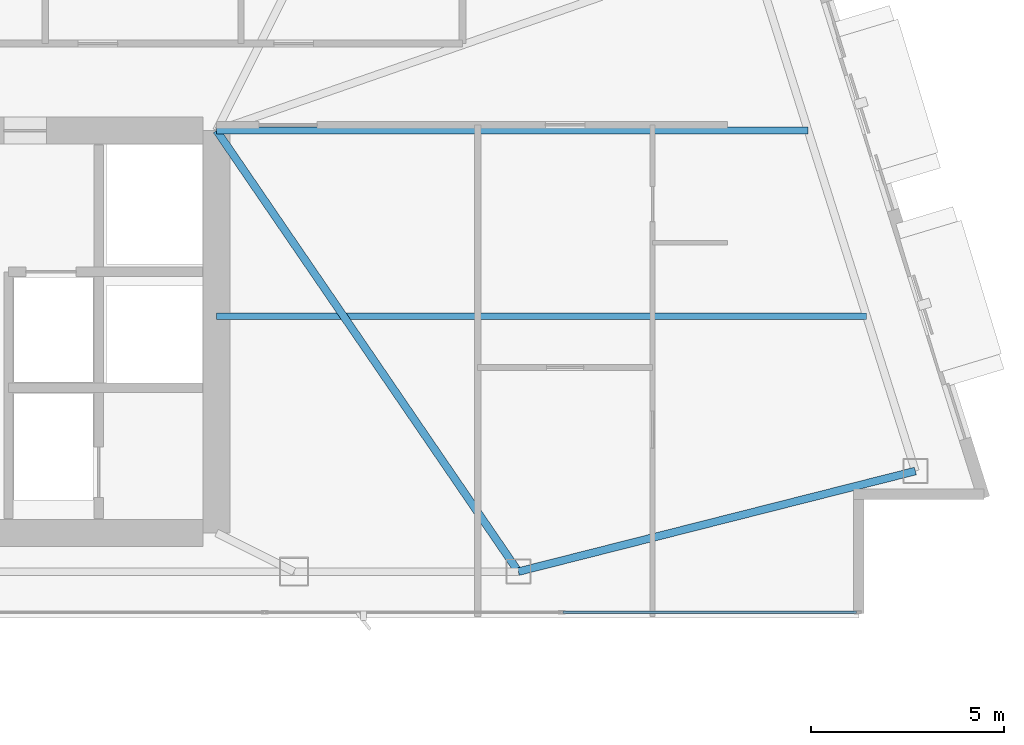
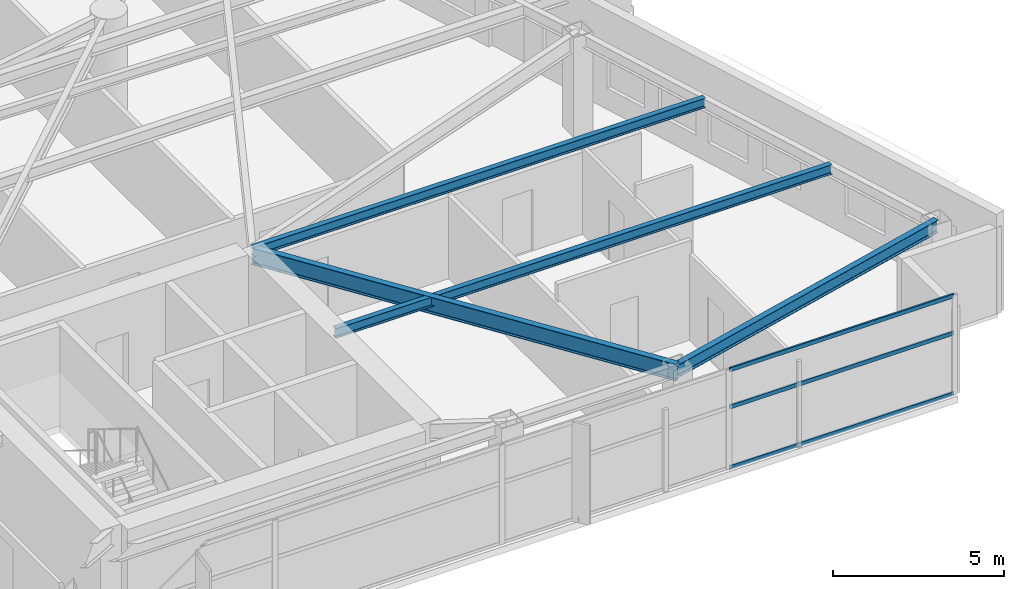
# One storey, part 14 of 30: 4 beams, 3 members, 1 element without a shape of its own.
"""IFC4 building model written with IfcOpenShell, lengths in metres."""

from ifc_helpers import new_model, si_unit, direction, frame, origin, origin_2d, place, context, subcontext, project, spatial, hollow_rectangle, i_section, extrude, material, layer, layer_set, material_profile, profile_set, type_object, element, aggregate, save


model = new_model("IFC4")

# Units and contexts
model_context = context("Model", 3, precision=1e-05, world=origin(), true_north=direction((0.0, 1.0)))
body_context = subcontext(model_context, "Body", "Model", "MODEL_VIEW")
ifc_project = project(units=[si_unit("LENGTHUNIT", "METRE"), si_unit("AREAUNIT", "SQUARE_METRE"), si_unit("VOLUMEUNIT", "CUBIC_METRE"), si_unit("PLANEANGLEUNIT", "RADIAN"), si_unit("MASSUNIT", "GRAM", prefix="KILO")], contexts=[model_context])

# Site, building, storey
site_placement = place(None, origin())
site = spatial("IfcSite", under=ifc_project, at=site_placement, CompositionType="ELEMENT")
building_placement = place(site_placement, origin())
building = spatial("IfcBuilding", under=site, at=building_placement, Name="Calvorn Quay Hotel", CompositionType="ELEMENT")
storey_placement = place(building_placement, frame((0.0, 0.0, 207.199951171875)))
storey = spatial("IfcBuildingStorey", under=building, at=storey_placement, Name="L51", CompositionType="ELEMENT", Elevation=207.199951171875)

# Beams
ifc_material_1 = material(Name="Steel Q355B", Category="steel")
ifc_material_profile_1 = material_profile(ifc_material_1, i_section(OverallWidth=0.199951171875, OverallDepth=0.60009765625, WebThickness=0.010986328125, FlangeThickness=0.01708984375, FilletRadius=0.01806640625, at=origin_2d()), Name="HN600x200x11x17")
ifc_profile_set_1 = profile_set([ifc_material_profile_1], Name="Steel Q355B")
beam_type_1 = type_object("IfcBeamType", Name="BM-GIRD-TYP", PredefinedType="BEAM", material=ifc_profile_set_1)
beam_1_placement = place(storey_placement, frame((40.199951171875, 3.60009765625, 3.239990234375), z_axis=(-0.564689618177, 0.825303359452, 0.0), x_axis=(-0.825303359452, -0.564689618177, 0.0)))
element("IfcBeam", 1, at=beam_1_placement, inside=storey, type_object=beam_type_1, Name="Beam BG-L51-E6", PredefinedType="BEAM", context=body_context, shape_type="SweptSolid", body=[
    extrude(i_section(OverallWidth=0.199951171875, OverallDepth=0.60009765625, WebThickness=0.010986328125, FlangeThickness=0.01708984375, FilletRadius=0.01806640625, at=origin_2d()), origin(), (0.0, 0.0, 1.0), 13.81298828125),
])
ifc_material_2 = material(Name="Steel Q355B", Category="steel")
ifc_material_profile_2 = material_profile(ifc_material_2, i_section(OverallWidth=0.175048828125, OverallDepth=0.35009765625, WebThickness=0.007080078125, FlangeThickness=0.010986328125, FilletRadius=0.013916015625, at=origin_2d()), Name="HN350x175x7x11")
ifc_profile_set_2 = profile_set([ifc_material_profile_2], Name="Steel Q355B")
beam_type_2 = type_object("IfcBeamType", Name="BM-JOIST-SEC", PredefinedType="JOIST", material=ifc_profile_set_2)
beam_2_placement = place(storey_placement, frame((32.39990234375, 10.199951171875, 3.364990234375), z_axis=(1.0, 0.0, 0.0), x_axis=(0.0, 1.0, 0.0)))
element("IfcBeam", 2, at=beam_2_placement, inside=storey, type_object=beam_type_2, Name="Beam BJ-L51-E1", PredefinedType="JOIST", context=body_context, shape_type="SweptSolid", body=[
    extrude(i_section(OverallWidth=0.175048828125, OverallDepth=0.35009765625, WebThickness=0.007080078125, FlangeThickness=0.010986328125, FilletRadius=0.013916015625, at=origin_2d()), origin(), (0.0, 0.0, 1.0), 16.801025390625),
])
beam_3_placement = place(storey_placement, frame((32.39990234375, 15.0, 3.364990234375), z_axis=(1.0, 0.0, 0.0), x_axis=(0.0, 1.0, 0.0)))
element("IfcBeam", 3, at=beam_3_placement, inside=storey, type_object=beam_type_2, Name="Beam BJ-L51-E2", PredefinedType="JOIST", context=body_context, shape_type="SweptSolid", body=[
    extrude(i_section(OverallWidth=0.175048828125, OverallDepth=0.35009765625, WebThickness=0.007080078125, FlangeThickness=0.010986328125, FilletRadius=0.013916015625, at=origin_2d()), origin(), (0.0, 0.0, 1.0), 15.2880859375),
])
ifc_material_3 = material(Name="Steel Q355B", Category="steel")
ifc_material_profile_3 = material_profile(ifc_material_3, i_section(OverallWidth=0.199951171875, OverallDepth=0.449951171875, WebThickness=0.009033203125, FlangeThickness=0.013916015625, FilletRadius=0.01611328125, at=origin_2d()), Name="HN450x200x9x14")
ifc_profile_set_3 = profile_set([ifc_material_profile_3], Name="Steel Q355B")
beam_type_3 = type_object("IfcBeamType", Name="BM-SPANDREL-Z3", PredefinedType="SPANDREL", material=ifc_profile_set_3)
beam_4_placement = place(storey_placement, frame((40.199951171875, 3.60009765625, 3.31494140625), z_axis=(0.969368358966, 0.245611450537, 0.0), x_axis=(-0.245611450537, 0.969368358966, 0.0)))
element("IfcBeam", 4, at=beam_4_placement, inside=storey, type_object=beam_type_3, Name="Beam BSP-L51-S5", PredefinedType="SPANDREL", context=body_context, shape_type="SweptSolid", body=[
    extrude(i_section(OverallWidth=0.199951171875, OverallDepth=0.449951171875, WebThickness=0.009033203125, FlangeThickness=0.013916015625, FilletRadius=0.01611328125, at=origin_2d()), origin(), (0.0, 0.0, 1.0), 10.585205078125),
])

# Curtain wall, members
ifc_material_4 = material(Name="Champagne Bronze Anodised Aluminium and Low-E Glass", Category="aluminium")
ifc_layer = layer(ifc_material_4, 0.219970703125)
ifc_layer_set = layer_set([ifc_layer], Name="CW-SYS-Z3")
curtain_wall_type = type_object("IfcCurtainWallType", Name="CW-SYS-Z3", PredefinedType="NOTDEFINED", material=ifc_layer_set)
curtain_wall_placement = place(storey_placement, origin())
curtain_wall = element("IfcCurtainWall", 5, at=curtain_wall_placement, inside=storey, type_object=curtain_wall_type, Name="Tower South Waterfront Curtain Wall (L51)", PredefinedType="NOTDEFINED")
ifc_material_5 = material(Name="Champagne Bronze Anodised Aluminium 6063-T6", Category="aluminium")
ifc_material_profile_4 = material_profile(ifc_material_5, hollow_rectangle(XDim=0.05810546875, YDim=0.139892578125, WallThickness=0.003173828125, at=origin_2d()), Name="ALU-T140x58x3.2")
ifc_profile_set_4 = profile_set([ifc_material_profile_4], Name="Champagne Bronze Anodised Aluminium 6063-T6")
member_type = type_object("IfcMemberType", Name="CW-SYS-Z3-TRN", PredefinedType="USERDEFINED", material=ifc_profile_set_4)
member_1_placement = place(storey_placement, frame((41.35009765625, 2.550048828125, 0.030029296875), z_axis=(1.0, 0.0, 0.0), x_axis=(0.0, 1.0, 0.0)))
member_1 = element("IfcMember", 6, at=member_1_placement, type_object=member_type, Name="CW-L51-S transom 5.1", ObjectType="TRANSOM", PredefinedType="USERDEFINED", context=body_context, shape_type="SweptSolid", body=[
    extrude(hollow_rectangle(XDim=0.05810546875, YDim=0.139892578125, WallThickness=0.003173828125, at=origin_2d()), origin(), (0.0, 0.0, 1.0), 7.58984375),
])
member_2_placement = place(storey_placement, frame((41.35009765625, 2.550048828125, 2.199951171875), z_axis=(1.0, 0.0, 0.0), x_axis=(0.0, 1.0, 0.0)))
member_2 = element("IfcMember", 7, at=member_2_placement, type_object=member_type, Name="CW-L51-S transom 5.2", ObjectType="TRANSOM", PredefinedType="USERDEFINED", context=body_context, shape_type="SweptSolid", body=[
    extrude(hollow_rectangle(XDim=0.05810546875, YDim=0.139892578125, WallThickness=0.003173828125, at=origin_2d()), origin(), (0.0, 0.0, 1.0), 7.58984375),
])
member_3_placement = place(storey_placement, frame((41.35009765625, 2.550048828125, 3.530029296875), z_axis=(1.0, 0.0, 0.0), x_axis=(0.0, 1.0, 0.0)))
member_3 = element("IfcMember", 8, at=member_3_placement, type_object=member_type, Name="CW-L51-S transom 5.3", ObjectType="TRANSOM", PredefinedType="USERDEFINED", context=body_context, shape_type="SweptSolid", body=[
    extrude(hollow_rectangle(XDim=0.05810546875, YDim=0.139892578125, WallThickness=0.003173828125, at=origin_2d()), origin(), (0.0, 0.0, 1.0), 7.58984375),
])
aggregate(curtain_wall, [member_1, member_2, member_3])

save(model, "model.ifc")
